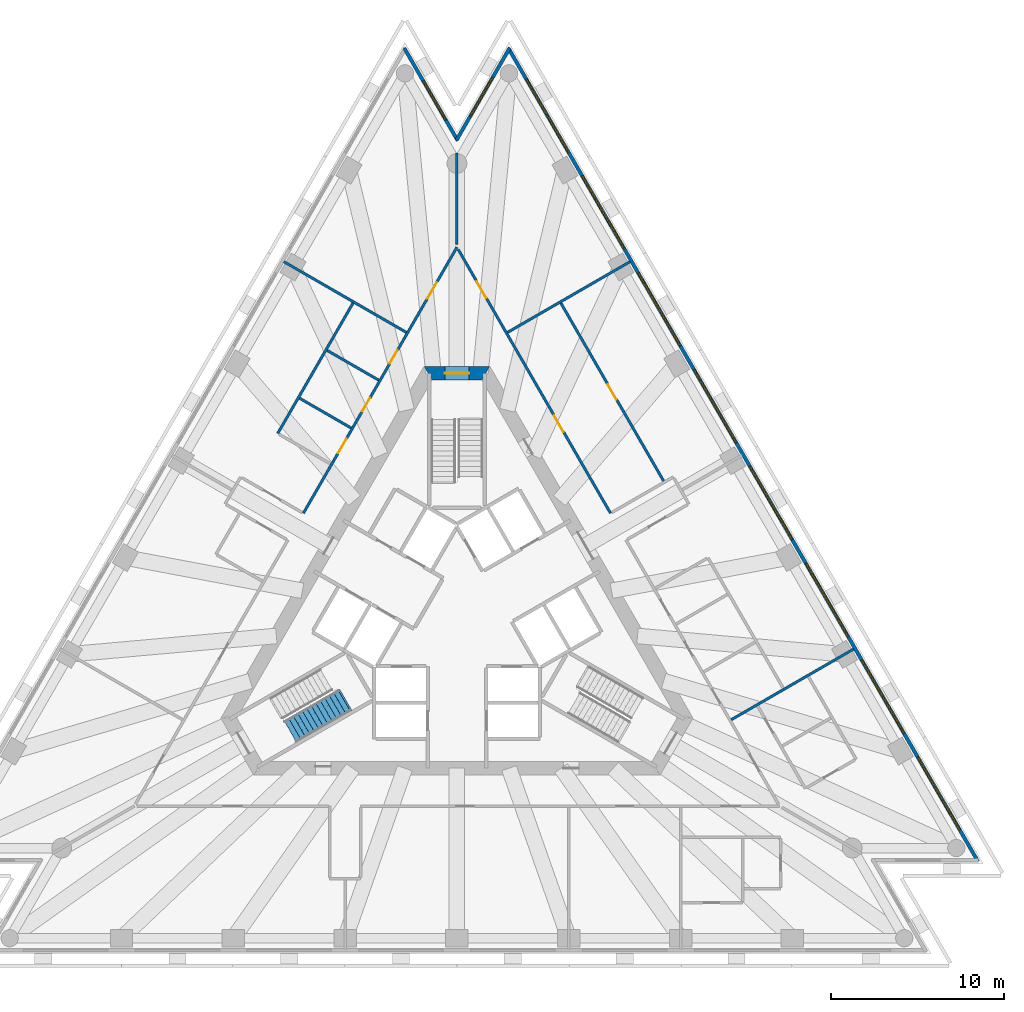
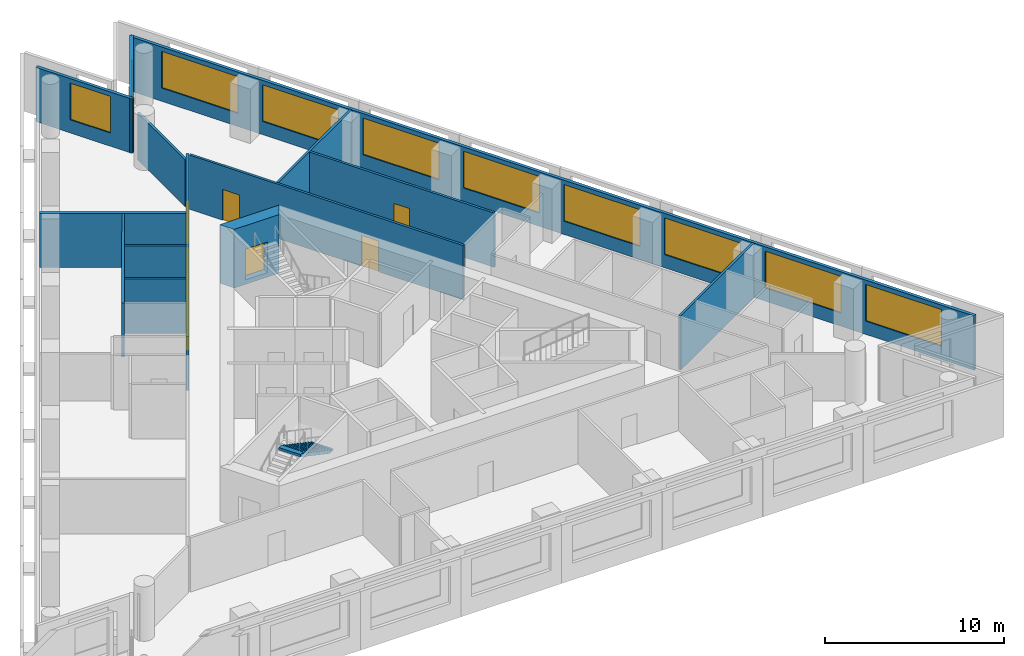
# One storey, part 6 of 9: 14 walls, 10 windows, 8 doors, 1 stair flight, 18 openings, 1 element without a shape of its own.
"""IFC4 building model written with IfcOpenShell, lengths in metres."""

from ifc_helpers import new_model, si_unit, direction, frame, frame_2d, origin, place, context, subcontext, project, spatial, polyline, rectangle, outline, extrude, material, layer, layer_set, layer_usage, type_object, element, fill, aggregate, save


model = new_model("IFC4")

# Units and contexts
model_context = context("Model", 3, precision=1e-05, world=origin(), true_north=direction((0.0, 1.0)))
body_context = subcontext(model_context, "Body", "Model", "MODEL_VIEW")
ifc_project = project(units=[si_unit("LENGTHUNIT", "METRE"), si_unit("AREAUNIT", "SQUARE_METRE"), si_unit("VOLUMEUNIT", "CUBIC_METRE"), si_unit("PLANEANGLEUNIT", "RADIAN"), si_unit("MASSUNIT", "GRAM", prefix="KILO")], contexts=[model_context])

# Site, building, storey
site_placement = place(None, origin())
site = spatial("IfcSite", under=ifc_project, at=site_placement, CompositionType="ELEMENT")
building_placement = place(site_placement, origin())
building = spatial("IfcBuilding", under=site, at=building_placement, Name="Triada Interchange Tower", CompositionType="ELEMENT")
storey_placement = place(building_placement, frame((0.0, 0.0, 164.300048828125)))
storey = spatial("IfcBuildingStorey", under=building, at=storey_placement, Name="L38", CompositionType="ELEMENT", Elevation=164.300048828125)

# Wall, opening, door
ifc_material_1 = material(Name="Concrete C60/75", Category="concrete")
ifc_layer_1 = layer(ifc_material_1, 0.800048828125)
ifc_layer_set_1 = layer_set([ifc_layer_1], Name="Core wall B 800")
wall_type_1 = type_object("IfcWallType", Name="Core wall B 800", PredefinedType="SHEAR", material=ifc_layer_set_1)
wall_1_placement = place(storey_placement, frame((1.674072265625, 14.300048828125, -0.300048828125), z_axis=(0.0, 0.0, 1.0), x_axis=(-1.0, 0.0, 0.0)))
wall_1 = element("IfcWall", 1, at=wall_1_placement, inside=storey, type_object=wall_type_1, Name="Core wall WB01 L38", PredefinedType="SHEAR", context=body_context, shape_type="SweptSolid", body=[
    extrude(outline(polyline([(-0.23095703125, -0.39990234375), (1.674072265625, -0.39990234375), (3.5791015625, -0.39990234375), (3.116943359375, 0.39990234375), (1.673828125, 0.39990234375), (0.23095703125, 0.39990234375), (-0.23095703125, -0.39990234375)])), origin(), (0.0, 0.0, 1.0), 4.0),
])
opening_1_placement = place(wall_1_placement, frame((0.97412109375, 0.0, 0.300048828125)))
opening_1 = element("IfcOpeningElement", 2, at=opening_1_placement, cuts=wall_1, Name="Opening D38-36", PredefinedType="OPENING", context=body_context, shape_type="SweptSolid", body=[
    extrude(rectangle(XDim=1.39990234375, YDim=2.10009765625, at=frame_2d((0.699951171875, 1.050048828125))), frame((0.0, 0.409912109375, 0.0), z_axis=(0.0, -1.0, 0.0), x_axis=(1.0, 0.0, 0.0)), (0.0, 0.0, 1.0), 0.820068359375),
])
ifc_material_2 = material(Name="Steel S235 door leaf", Category="steel")
door_type_1 = type_object("IfcDoorType", Name="STAIR DOOR 1400 EI2 90-C5S200", OperationType="DOUBLE_DOOR_SINGLE_SWING", PredefinedType="DOOR", material=ifc_material_2)
door_1_placement = place(opening_1_placement, origin())
door_1 = element("IfcDoor", 3, at=door_1_placement, inside=storey, type_object=door_type_1, Name="Door D38-36 L38", OperationType="DOUBLE_DOOR_SINGLE_SWING", OverallHeight=2.10009765625, OverallWidth=1.39990234375, PredefinedType="DOOR", context=body_context, shape_type="SweptSolid", body=[
    extrude(rectangle(XDim=1.39990234375, YDim=2.10009765625, at=frame_2d((0.699951171875, 1.050048828125))), frame((0.0, 0.02490234375, 0.0), z_axis=(0.0, -1.0, 0.0), x_axis=(1.0, 0.0, 0.0)), (0.0, 0.0, 1.0), 0.050048828125),
])
fill(opening_1, door_1)

# Wall, openings, windows
ifc_material_3 = material(Name="Cement board")
ifc_layer_2 = layer(ifc_material_3, 0.02001953125, Name="Cement board cladding")
ifc_material_4 = material(Name="Sheathing board")
ifc_layer_3 = layer(ifc_material_4, 0.014892578125, Name="Sheathing board")
ifc_material_5 = material(Name="Mineral wool")
ifc_layer_4 = layer(ifc_material_5, 0.14990234375, Name="Mineral wool between steel studs")
ifc_material_6 = material(Name="Gypsum board")
ifc_layer_5 = layer(ifc_material_6, 0.014892578125, Name="Plasterboard lining")
ifc_layer_set_2 = layer_set([ifc_layer_2, ifc_layer_3, ifc_layer_4, ifc_layer_5], Name="External wall 200")
ifc_layer_usage = layer_usage(ifc_layer_set_2, "AXIS2", "POSITIVE", -0.10009765625)
wall_type_2 = type_object("IfcWallType", Name="External wall 200", PredefinedType="ELEMENTEDWALL", material=ifc_layer_set_2)
wall_2_placement = place(storey_placement, frame((30.2041015625, -14.006103515625, 0.0), z_axis=(0.0, 0.0, 1.0), x_axis=(-0.500008017777, 0.866020774669, 0.0)))
wall_2 = element("IfcWall", 4, at=wall_2_placement, inside=storey, type_object=wall_type_2, material=ifc_layer_usage, Name="External wall L38 NE", PredefinedType="ELEMENTEDWALL", context=body_context, shape_type="SweptSolid", body=[
    extrude(rectangle(XDim=54.443359375, YDim=0.199951171875, at=frame_2d((27.2216796875, 0.0))), origin(), (0.0, 0.0, 1.0), 3.699951171875),
])
opening_2_placement = place(wall_2_placement, frame((2.093994140625, 0.0, 0.89990234375)))
opening_2 = element("IfcOpeningElement", 5, at=opening_2_placement, cuts=wall_2, Name="Opening WB21", PredefinedType="OPENING", context=body_context, shape_type="SweptSolid", body=[
    extrude(rectangle(XDim=4.89990234375, YDim=2.5, at=frame_2d((2.449951171875, 1.25))), frame((0.0, 0.10986328125, 0.0), z_axis=(0.0, -1.0, 0.0), x_axis=(1.0, 0.0, 0.0)), (0.0, 0.0, 1.0), 0.219970703125),
])
opening_3_placement = place(wall_2_placement, frame((8.575927734375, 0.0, 0.89990234375)))
opening_3 = element("IfcOpeningElement", 6, at=opening_3_placement, cuts=wall_2, Name="Opening WB22", PredefinedType="OPENING", context=body_context, shape_type="SweptSolid", body=[
    extrude(rectangle(XDim=4.89990234375, YDim=2.5, at=frame_2d((2.449951171875, 1.25))), frame((0.0, 0.10986328125, 0.0), z_axis=(0.0, -1.0, 0.0), x_axis=(1.0, 0.0, 0.0)), (0.0, 0.0, 1.0), 0.219970703125),
])
opening_4_placement = place(wall_2_placement, frame((15.05810546875, 0.0, 0.89990234375)))
opening_4 = element("IfcOpeningElement", 7, at=opening_4_placement, cuts=wall_2, Name="Opening WB23", PredefinedType="OPENING", context=body_context, shape_type="SweptSolid", body=[
    extrude(rectangle(XDim=4.89990234375, YDim=2.5, at=frame_2d((2.449951171875, 1.25))), frame((0.0, 0.10986328125, 0.0), z_axis=(0.0, -1.0, 0.0), x_axis=(1.0, 0.0, 0.0)), (0.0, 0.0, 1.0), 0.219970703125),
])
opening_5_placement = place(wall_2_placement, frame((21.5400390625, 0.0, 0.89990234375)))
opening_5 = element("IfcOpeningElement", 8, at=opening_5_placement, cuts=wall_2, Name="Opening WB24", PredefinedType="OPENING", context=body_context, shape_type="SweptSolid", body=[
    extrude(rectangle(XDim=4.89990234375, YDim=2.5, at=frame_2d((2.449951171875, 1.25))), frame((0.0, 0.10986328125, 0.0), z_axis=(0.0, -1.0, 0.0), x_axis=(1.0, 0.0, 0.0)), (0.0, 0.0, 1.0), 0.219970703125),
])
opening_6_placement = place(wall_2_placement, frame((28.02294921875, 0.0, 0.89990234375)))
opening_6 = element("IfcOpeningElement", 9, at=opening_6_placement, cuts=wall_2, Name="Opening WB25", PredefinedType="OPENING", context=body_context, shape_type="SweptSolid", body=[
    extrude(rectangle(XDim=4.89990234375, YDim=2.5, at=frame_2d((2.449951171875, 1.25))), frame((0.0, 0.10986328125, 0.0), z_axis=(0.0, -1.0, 0.0), x_axis=(1.0, 0.0, 0.0)), (0.0, 0.0, 1.0), 0.219970703125),
])
opening_7_placement = place(wall_2_placement, frame((34.5048828125, 0.0, 0.89990234375)))
opening_7 = element("IfcOpeningElement", 10, at=opening_7_placement, cuts=wall_2, Name="Opening WB26", PredefinedType="OPENING", context=body_context, shape_type="SweptSolid", body=[
    extrude(rectangle(XDim=4.89990234375, YDim=2.5, at=frame_2d((2.449951171875, 1.25))), frame((0.0, 0.10986328125, 0.0), z_axis=(0.0, -1.0, 0.0), x_axis=(1.0, 0.0, 0.0)), (0.0, 0.0, 1.0), 0.219970703125),
])
opening_8_placement = place(wall_2_placement, frame((40.987060546875, 0.0, 0.89990234375)))
opening_8 = element("IfcOpeningElement", 11, at=opening_8_placement, cuts=wall_2, Name="Opening WB27", PredefinedType="OPENING", context=body_context, shape_type="SweptSolid", body=[
    extrude(rectangle(XDim=4.89990234375, YDim=2.5, at=frame_2d((2.449951171875, 1.25))), frame((0.0, 0.10986328125, 0.0), z_axis=(0.0, -1.0, 0.0), x_axis=(1.0, 0.0, 0.0)), (0.0, 0.0, 1.0), 0.219970703125),
])
opening_9_placement = place(wall_2_placement, frame((47.468994140625, 0.0, 0.89990234375)))
opening_9 = element("IfcOpeningElement", 12, at=opening_9_placement, cuts=wall_2, Name="Opening WB28", PredefinedType="OPENING", context=body_context, shape_type="SweptSolid", body=[
    extrude(rectangle(XDim=4.89990234375, YDim=2.5, at=frame_2d((2.449951171875, 1.25))), frame((0.0, 0.10986328125, 0.0), z_axis=(0.0, -1.0, 0.0), x_axis=(1.0, 0.0, 0.0)), (0.0, 0.0, 1.0), 0.219970703125),
])
ifc_material_7 = material(Name="Double glazed aluminium window", Category="aluminium")
window_type_1 = type_object("IfcWindowType", Name="Ribbon window B face", PartitioningType="SINGLE_PANEL", PredefinedType="WINDOW", material=ifc_material_7)
window_1_placement = place(opening_2_placement, origin())
window_1 = element("IfcWindow", 13, at=window_1_placement, inside=storey, type_object=window_type_1, Name="Window L38 NE 1", OverallHeight=2.5, OverallWidth=4.89990234375, PartitioningType="SINGLE_PANEL", PredefinedType="WINDOW", context=body_context, shape_type="SweptSolid", body=[
    extrude(rectangle(XDim=4.89990234375, YDim=2.5, at=frame_2d((2.449951171875, 1.25))), frame((0.0, 0.030029296875, 0.0), z_axis=(0.0, -1.0, 0.0), x_axis=(1.0, 0.0, 0.0)), (0.0, 0.0, 1.0), 0.06005859375),
])
fill(opening_2, window_1)
window_2_placement = place(opening_3_placement, origin())
window_2 = element("IfcWindow", 14, at=window_2_placement, inside=storey, type_object=window_type_1, Name="Window L38 NE 2", OverallHeight=2.5, OverallWidth=4.89990234375, PartitioningType="SINGLE_PANEL", PredefinedType="WINDOW", context=body_context, shape_type="SweptSolid", body=[
    extrude(rectangle(XDim=4.89990234375, YDim=2.5, at=frame_2d((2.449951171875, 1.25))), frame((0.0, 0.030029296875, 0.0), z_axis=(0.0, -1.0, 0.0), x_axis=(1.0, 0.0, 0.0)), (0.0, 0.0, 1.0), 0.06005859375),
])
fill(opening_3, window_2)
window_3_placement = place(opening_4_placement, origin())
window_3 = element("IfcWindow", 15, at=window_3_placement, inside=storey, type_object=window_type_1, Name="Window L38 NE 3", OverallHeight=2.5, OverallWidth=4.89990234375, PartitioningType="SINGLE_PANEL", PredefinedType="WINDOW", context=body_context, shape_type="SweptSolid", body=[
    extrude(rectangle(XDim=4.89990234375, YDim=2.5, at=frame_2d((2.449951171875, 1.25))), frame((0.0, 0.030029296875, 0.0), z_axis=(0.0, -1.0, 0.0), x_axis=(1.0, 0.0, 0.0)), (0.0, 0.0, 1.0), 0.06005859375),
])
fill(opening_4, window_3)
window_4_placement = place(opening_5_placement, origin())
window_4 = element("IfcWindow", 16, at=window_4_placement, inside=storey, type_object=window_type_1, Name="Window L38 NE 4", OverallHeight=2.5, OverallWidth=4.89990234375, PartitioningType="SINGLE_PANEL", PredefinedType="WINDOW", context=body_context, shape_type="SweptSolid", body=[
    extrude(rectangle(XDim=4.89990234375, YDim=2.5, at=frame_2d((2.449951171875, 1.25))), frame((0.0, 0.030029296875, 0.0), z_axis=(0.0, -1.0, 0.0), x_axis=(1.0, 0.0, 0.0)), (0.0, 0.0, 1.0), 0.06005859375),
])
fill(opening_5, window_4)
window_5_placement = place(opening_6_placement, origin())
window_5 = element("IfcWindow", 17, at=window_5_placement, inside=storey, type_object=window_type_1, Name="Window L38 NE 5", OverallHeight=2.5, OverallWidth=4.89990234375, PartitioningType="SINGLE_PANEL", PredefinedType="WINDOW", context=body_context, shape_type="SweptSolid", body=[
    extrude(rectangle(XDim=4.89990234375, YDim=2.5, at=frame_2d((2.449951171875, 1.25))), frame((0.0, 0.030029296875, 0.0), z_axis=(0.0, -1.0, 0.0), x_axis=(1.0, 0.0, 0.0)), (0.0, 0.0, 1.0), 0.06005859375),
])
fill(opening_6, window_5)
window_6_placement = place(opening_7_placement, origin())
window_6 = element("IfcWindow", 18, at=window_6_placement, inside=storey, type_object=window_type_1, Name="Window L38 NE 6", OverallHeight=2.5, OverallWidth=4.89990234375, PartitioningType="SINGLE_PANEL", PredefinedType="WINDOW", context=body_context, shape_type="SweptSolid", body=[
    extrude(rectangle(XDim=4.89990234375, YDim=2.5, at=frame_2d((2.449951171875, 1.25))), frame((0.0, 0.030029296875, 0.0), z_axis=(0.0, -1.0, 0.0), x_axis=(1.0, 0.0, 0.0)), (0.0, 0.0, 1.0), 0.06005859375),
])
fill(opening_7, window_6)
window_7_placement = place(opening_8_placement, origin())
window_7 = element("IfcWindow", 19, at=window_7_placement, inside=storey, type_object=window_type_1, Name="Window L38 NE 7", OverallHeight=2.5, OverallWidth=4.89990234375, PartitioningType="SINGLE_PANEL", PredefinedType="WINDOW", context=body_context, shape_type="SweptSolid", body=[
    extrude(rectangle(XDim=4.89990234375, YDim=2.5, at=frame_2d((2.449951171875, 1.25))), frame((0.0, 0.030029296875, 0.0), z_axis=(0.0, -1.0, 0.0), x_axis=(1.0, 0.0, 0.0)), (0.0, 0.0, 1.0), 0.06005859375),
])
fill(opening_8, window_7)
window_8_placement = place(opening_9_placement, origin())
window_8 = element("IfcWindow", 20, at=window_8_placement, inside=storey, type_object=window_type_1, Name="Window L38 NE 8", OverallHeight=2.5, OverallWidth=4.89990234375, PartitioningType="SINGLE_PANEL", PredefinedType="WINDOW", context=body_context, shape_type="SweptSolid", body=[
    extrude(rectangle(XDim=4.89990234375, YDim=2.5, at=frame_2d((2.449951171875, 1.25))), frame((0.0, 0.030029296875, 0.0), z_axis=(0.0, -1.0, 0.0), x_axis=(1.0, 0.0, 0.0)), (0.0, 0.0, 1.0), 0.06005859375),
])
fill(opening_9, window_8)

# Wall, opening, window
wall_3_placement = place(storey_placement, frame((3.06201171875, 33.159912109375, 0.0), z_axis=(0.0, 0.0, 1.0), x_axis=(-0.50000110078, -0.866024768248, 0.0)))
wall_3 = element("IfcWall", 21, at=wall_3_placement, inside=storey, type_object=wall_type_2, material=ifc_layer_usage, Name="External wall L38 N-1", PredefinedType="ELEMENTEDWALL", context=body_context, shape_type="SweptSolid", body=[
    extrude(rectangle(XDim=6.19384765625, YDim=0.199951171875, at=frame_2d((3.096923828125, 0.0))), origin(), (0.0, 0.0, 1.0), 3.699951171875),
])
opening_10_placement = place(wall_3_placement, frame((1.989990234375, 0.0, 0.89990234375)))
opening_10 = element("IfcOpeningElement", 22, at=opening_10_placement, cuts=wall_3, Name="Opening WB29", PredefinedType="OPENING", context=body_context, shape_type="SweptSolid", body=[
    extrude(rectangle(XDim=2.60009765625, YDim=2.5, at=frame_2d((1.300048828125, 1.25))), frame((0.0, 0.10986328125, 0.0), z_axis=(0.0, -1.0, 0.0), x_axis=(1.0, 0.0, 0.0)), (0.0, 0.0, 1.0), 0.219970703125),
])
window_type_2 = type_object("IfcWindowType", Name="Ribbon window B pocket", PartitioningType="SINGLE_PANEL", PredefinedType="WINDOW", material=ifc_material_7)
window_9_placement = place(opening_10_placement, origin())
window_9 = element("IfcWindow", 23, at=window_9_placement, inside=storey, type_object=window_type_2, Name="Window L38 N-1 1", OverallHeight=2.5, OverallWidth=2.60009765625, PartitioningType="SINGLE_PANEL", PredefinedType="WINDOW", context=body_context, shape_type="SweptSolid", body=[
    extrude(rectangle(XDim=2.60009765625, YDim=2.5, at=frame_2d((1.300048828125, 1.25))), frame((0.0, 0.030029296875, 0.0), z_axis=(0.0, -1.0, 0.0), x_axis=(1.0, 0.0, 0.0)), (0.0, 0.0, 1.0), 0.06005859375),
])
fill(opening_10, window_9)

wall_4_placement = place(storey_placement, frame((0.044921875, 27.779052734375, 0.0), z_axis=(0.0, 0.0, 1.0), x_axis=(-0.50000110078, 0.866024768248, 0.0)))
wall_4 = element("IfcWall", 24, at=wall_4_placement, inside=storey, type_object=wall_type_2, material=ifc_layer_usage, Name="External wall L38 N-2", PredefinedType="ELEMENTEDWALL", context=body_context, shape_type="SweptSolid", body=[
    extrude(rectangle(XDim=6.19384765625, YDim=0.199951171875, at=frame_2d((3.096923828125, 0.0))), origin(), (0.0, 0.0, 1.0), 3.699951171875),
])
opening_11_placement = place(wall_4_placement, frame((1.389892578125, 0.0, 0.89990234375)))
opening_11 = element("IfcOpeningElement", 25, at=opening_11_placement, cuts=wall_4, Name="Opening WB30", PredefinedType="OPENING", context=body_context, shape_type="SweptSolid", body=[
    extrude(rectangle(XDim=2.60009765625, YDim=2.5, at=frame_2d((1.300048828125, 1.25))), frame((0.0, 0.10986328125, 0.0), z_axis=(0.0, -1.0, 0.0), x_axis=(1.0, 0.0, 0.0)), (0.0, 0.0, 1.0), 0.219970703125),
])
window_10_placement = place(opening_11_placement, origin())
window_10 = element("IfcWindow", 26, at=window_10_placement, inside=storey, type_object=window_type_2, Name="Window L38 N-2 1", OverallHeight=2.5, OverallWidth=2.60009765625, PartitioningType="SINGLE_PANEL", PredefinedType="WINDOW", context=body_context, shape_type="SweptSolid", body=[
    extrude(rectangle(XDim=2.60009765625, YDim=2.5, at=frame_2d((1.300048828125, 1.25))), frame((0.0, 0.030029296875, 0.0), z_axis=(0.0, -1.0, 0.0), x_axis=(1.0, 0.0, 0.0)), (0.0, 0.0, 1.0), 0.06005859375),
])
fill(opening_11, window_10)

# Wall, openings, doors
ifc_material_8 = material(Name="Gypsum board partition")
ifc_layer_6 = layer(ifc_material_8, 0.14990234375)
ifc_layer_set_3 = layer_set([ifc_layer_6], Name="PARTITION 150 EI 180")
wall_type_3 = type_object("IfcWallType", Name="PARTITION 150 EI 180", PredefinedType="PARTITIONING", material=ifc_layer_set_3)
wall_5_placement = place(storey_placement, frame((-8.903076171875, 6.179931640625, 0.0), z_axis=(0.0, 0.0, 1.0), x_axis=(0.500010074151, 0.866019587393, 0.0)))
wall_5 = element("IfcWall", 27, at=wall_5_placement, inside=storey, type_object=wall_type_3, Name="Wall L38 9", PredefinedType="PARTITIONING", context=body_context, shape_type="SweptSolid", body=[
    extrude(rectangle(XDim=17.805908203125, YDim=0.14990234375, at=frame_2d((8.90283203125, 0.0))), origin(), (0.0, 0.0, 1.0), 3.699951171875),
])
opening_12_placement = place(wall_5_placement, frame((14.35595703125, 0.0, 0.0)))
opening_12 = element("IfcOpeningElement", 28, at=opening_12_placement, cuts=wall_5, Name="Opening D38-27", PredefinedType="OPENING", context=body_context, shape_type="SweptSolid", body=[
    extrude(rectangle(XDim=1.10009765625, YDim=2.10009765625, at=frame_2d((0.550048828125, 1.050048828125))), frame((0.0, 0.0849609375, 0.0), z_axis=(0.0, -1.0, 0.0), x_axis=(1.0, 0.0, 0.0)), (0.0, 0.0, 1.0), 0.169921875),
])
opening_13_placement = place(wall_5_placement, frame((10.013916015625, 0.0, 0.0)))
opening_13 = element("IfcOpeningElement", 29, at=opening_13_placement, cuts=wall_5, Name="Opening D38-29", PredefinedType="OPENING", context=body_context, shape_type="SweptSolid", body=[
    extrude(rectangle(XDim=0.89990234375, YDim=2.10009765625, at=frame_2d((0.449951171875, 1.050048828125))), frame((0.0, 0.0849609375, 0.0), z_axis=(0.0, -1.0, 0.0), x_axis=(1.0, 0.0, 0.0)), (0.0, 0.0, 1.0), 0.169921875),
])
opening_14_placement = place(wall_5_placement, frame((6.81396484375, 0.0, 0.0)))
opening_14 = element("IfcOpeningElement", 30, at=opening_14_placement, cuts=wall_5, Name="Opening D38-30", PredefinedType="OPENING", context=body_context, shape_type="SweptSolid", body=[
    extrude(rectangle(XDim=0.89990234375, YDim=2.10009765625, at=frame_2d((0.449951171875, 1.050048828125))), frame((0.0, 0.0849609375, 0.0), z_axis=(0.0, -1.0, 0.0), x_axis=(1.0, 0.0, 0.0)), (0.0, 0.0, 1.0), 0.169921875),
])
opening_15_placement = place(wall_5_placement, frame((4.013916015625, 0.0, 0.0)))
opening_15 = element("IfcOpeningElement", 31, at=opening_15_placement, cuts=wall_5, Name="Opening D38-31", PredefinedType="OPENING", context=body_context, shape_type="SweptSolid", body=[
    extrude(rectangle(XDim=1.0, YDim=2.10009765625, at=frame_2d((0.5, 1.050048828125))), frame((0.0, 0.0849609375, 0.0), z_axis=(0.0, -1.0, 0.0), x_axis=(1.0, 0.0, 0.0)), (0.0, 0.0, 1.0), 0.169921875),
])
door_type_2 = type_object("IfcDoorType", Name="ROOM DOOR 1000 EI2 90-C5S200", OperationType="NOTDEFINED", PredefinedType="DOOR", material=ifc_material_2)
door_2_placement = place(opening_15_placement, origin())
door_2 = element("IfcDoor", 32, at=door_2_placement, inside=storey, type_object=door_type_2, Name="Door D38-31 L38", OperationType="SINGLE_SWING_LEFT", OverallHeight=2.10009765625, OverallWidth=1.0, PredefinedType="DOOR", context=body_context, shape_type="SweptSolid", body=[
    extrude(rectangle(XDim=1.0, YDim=2.10009765625, at=frame_2d((0.5, 1.050048828125))), frame((0.0, 0.02490234375, 0.0), z_axis=(0.0, -1.0, 0.0), x_axis=(1.0, 0.0, 0.0)), (0.0, 0.0, 1.0), 0.050048828125),
])
fill(opening_15, door_2)
door_type_3 = type_object("IfcDoorType", Name="ROOM DOOR 900 EI2 90-C5S200", OperationType="NOTDEFINED", PredefinedType="DOOR", material=ifc_material_2)
door_3_placement = place(opening_13_placement, origin())
door_3 = element("IfcDoor", 33, at=door_3_placement, inside=storey, type_object=door_type_3, Name="Door D38-29 L38", OperationType="SINGLE_SWING_RIGHT", OverallHeight=2.10009765625, OverallWidth=0.89990234375, PredefinedType="DOOR", context=body_context, shape_type="SweptSolid", body=[
    extrude(rectangle(XDim=0.89990234375, YDim=2.10009765625, at=frame_2d((0.449951171875, 1.050048828125))), frame((0.0, 0.02490234375, 0.0), z_axis=(0.0, -1.0, 0.0), x_axis=(1.0, 0.0, 0.0)), (0.0, 0.0, 1.0), 0.050048828125),
])
fill(opening_13, door_3)
door_4_placement = place(opening_14_placement, origin())
door_4 = element("IfcDoor", 34, at=door_4_placement, inside=storey, type_object=door_type_3, Name="Door D38-30 L38", OperationType="SINGLE_SWING_RIGHT", OverallHeight=2.10009765625, OverallWidth=0.89990234375, PredefinedType="DOOR", context=body_context, shape_type="SweptSolid", body=[
    extrude(rectangle(XDim=0.89990234375, YDim=2.10009765625, at=frame_2d((0.449951171875, 1.050048828125))), frame((0.0, 0.02490234375, 0.0), z_axis=(0.0, -1.0, 0.0), x_axis=(1.0, 0.0, 0.0)), (0.0, 0.0, 1.0), 0.050048828125),
])
fill(opening_14, door_4)
door_type_4 = type_object("IfcDoorType", Name="TENANCY ENTRANCE DOOR 1100 EI2 90-C5S200", OperationType="NOTDEFINED", PredefinedType="DOOR", material=ifc_material_2)
door_5_placement = place(opening_12_placement, origin())
door_5 = element("IfcDoor", 35, at=door_5_placement, inside=storey, type_object=door_type_4, Name="Door D38-27 L38", OperationType="SINGLE_SWING_RIGHT", OverallHeight=2.10009765625, OverallWidth=1.10009765625, PredefinedType="DOOR", context=body_context, shape_type="SweptSolid", body=[
    extrude(rectangle(XDim=1.10009765625, YDim=2.10009765625, at=frame_2d((0.550048828125, 1.050048828125))), frame((0.0, 0.02490234375, 0.0), z_axis=(0.0, -1.0, 0.0), x_axis=(1.0, 0.0, 0.0)), (0.0, 0.0, 1.0), 0.050048828125),
])
fill(opening_12, door_5)

# Walls
wall_6_placement = place(storey_placement, frame((-10.035888671875, 20.763916015625, 0.0), z_axis=(0.0, 0.0, 1.0), x_axis=(0.866037308103, -0.499979380549, 0.0)))
element("IfcWall", 36, at=wall_6_placement, inside=storey, type_object=wall_type_3, Name="Wall L38 17", PredefinedType="PARTITIONING", context=body_context, shape_type="SweptSolid", body=[
    extrude(rectangle(XDim=8.197998046875, YDim=0.14990234375, at=frame_2d((4.09912109375, 0.0))), origin(), (0.0, 0.0, 1.0), 3.699951171875),
])
wall_7_placement = place(storey_placement, frame((-10.388916015625, 10.805908203125, 0.0), z_axis=(0.0, 0.0, 1.0), x_axis=(0.500042162787, 0.86600105972, 0.0)))
element("IfcWall", 37, at=wall_7_placement, inside=storey, type_object=wall_type_3, Name="Wall L38 18", PredefinedType="PARTITIONING", context=body_context, shape_type="SweptSolid", body=[
    extrude(rectangle(XDim=8.725341796875, YDim=0.14990234375, at=frame_2d((4.36279296875, 0.0))), origin(), (0.0, 0.0, 1.0), 3.699951171875),
])
for number, where, z_axis, x_axis, name in (
    (38, (-9.1240234375, 12.846923828125, 0.0), (0.0, 0.0, 1.0), (0.866061862632, -0.499936846106, 0.0), "Wall L38 20"),
    (39, (-7.52392578125, 15.618896484375, 0.0), (0.0, 0.0, 1.0), (0.866061862632, -0.499936846106, 0.0), "Wall L38 21"),
):
    element("IfcWall", number, at=place(storey_placement, frame(where, z_axis=z_axis, x_axis=x_axis)), inside=storey, type_object=wall_type_3, Name=name, PredefinedType="PARTITIONING", context=body_context, shape_type="SweptSolid", body=[
        extrude(rectangle(XDim=3.4501953125, YDim=0.14990234375, at=frame_2d((1.72509765625, 0.0))), origin(), (0.0, 0.0, 1.0), 3.699951171875),
    ])
wall_8_placement = place(storey_placement, frame((0.0, 21.75, 0.0), z_axis=(0.0, 0.0, 1.0), x_axis=(0.0, 1.0, 0.0)))
element("IfcWall", 40, at=wall_8_placement, inside=storey, type_object=wall_type_3, Name="Wall L38 24", PredefinedType="PARTITIONING", context=body_context, shape_type="SweptSolid", body=[
    extrude(rectangle(XDim=5.326904296875, YDim=0.14990234375, at=frame_2d((2.66357421875, 0.0))), origin(), (0.0, 0.0, 1.0), 3.199951171875),
])

# Wall, openings, doors
wall_9_placement = place(storey_placement, frame((0.075927734375, 21.468017578125, 0.0), z_axis=(0.0, 0.0, 1.0), x_axis=(0.500024127084, -0.866011473558, 0.0)))
wall_9 = element("IfcWall", 41, at=wall_9_placement, inside=storey, type_object=wall_type_3, Name="Wall L38 25", PredefinedType="PARTITIONING", context=body_context, shape_type="SweptSolid", body=[
    extrude(rectangle(XDim=17.653564453125, YDim=0.14990234375, at=frame_2d((8.82666015625, 0.0))), origin(), (0.0, 0.0, 1.0), 3.699951171875),
])
opening_16_placement = place(wall_9_placement, frame((11.10400390625, 0.0, 0.0)))
opening_16 = element("IfcOpeningElement", 42, at=opening_16_placement, cuts=wall_9, Name="Opening D38-24", PredefinedType="OPENING", context=body_context, shape_type="SweptSolid", body=[
    extrude(rectangle(XDim=1.10009765625, YDim=2.10009765625, at=frame_2d((0.550048828125, 1.050048828125))), frame((0.0, 0.0849609375, 0.0), z_axis=(0.0, -1.0, 0.0), x_axis=(1.0, 0.0, 0.0)), (0.0, 0.0, 1.0), 0.169921875),
])
opening_17_placement = place(wall_9_placement, frame((2.139892578125, 0.0, 0.0)))
opening_17 = element("IfcOpeningElement", 43, at=opening_17_placement, cuts=wall_9, Name="Opening D38-26", PredefinedType="OPENING", context=body_context, shape_type="SweptSolid", body=[
    extrude(rectangle(XDim=1.10009765625, YDim=2.10009765625, at=frame_2d((0.550048828125, 1.050048828125))), frame((0.0, 0.0849609375, 0.0), z_axis=(0.0, -1.0, 0.0), x_axis=(1.0, 0.0, 0.0)), (0.0, 0.0, 1.0), 0.169921875),
])
door_6_placement = place(opening_16_placement, origin())
door_6 = element("IfcDoor", 44, at=door_6_placement, inside=storey, type_object=door_type_4, Name="Door D38-24 L38", OperationType="SINGLE_SWING_LEFT", OverallHeight=2.10009765625, OverallWidth=1.10009765625, PredefinedType="DOOR", context=body_context, shape_type="SweptSolid", body=[
    extrude(rectangle(XDim=1.10009765625, YDim=2.10009765625, at=frame_2d((0.550048828125, 1.050048828125))), frame((0.0, 0.02490234375, 0.0), z_axis=(0.0, -1.0, 0.0), x_axis=(1.0, 0.0, 0.0)), (0.0, 0.0, 1.0), 0.050048828125),
])
fill(opening_16, door_6)
door_7_placement = place(opening_17_placement, origin())
door_7 = element("IfcDoor", 45, at=door_7_placement, inside=storey, type_object=door_type_4, Name="Door D38-26 L38", OperationType="SINGLE_SWING_LEFT", OverallHeight=2.10009765625, OverallWidth=1.10009765625, PredefinedType="DOOR", context=body_context, shape_type="SweptSolid", body=[
    extrude(rectangle(XDim=1.10009765625, YDim=2.10009765625, at=frame_2d((0.550048828125, 1.050048828125))), frame((0.0, 0.02490234375, 0.0), z_axis=(0.0, -1.0, 0.0), x_axis=(1.0, 0.0, 0.0)), (0.0, 0.0, 1.0), 0.050048828125),
])
fill(opening_17, door_7)

# Walls
wall_10_placement = place(storey_placement, frame((2.93603515625, 16.6650390625, 0.0), z_axis=(0.0, 0.0, 1.0), x_axis=(0.866037308103, 0.499979380549, 0.0)))
element("IfcWall", 46, at=wall_10_placement, inside=storey, type_object=wall_type_3, Name="Wall L38 27", PredefinedType="PARTITIONING", context=body_context, shape_type="SweptSolid", body=[
    extrude(rectangle(XDim=8.197998046875, YDim=0.14990234375, at=frame_2d((4.09912109375, 0.0))), origin(), (0.0, 0.0, 1.0), 3.699951171875),
])
wall_11_placement = place(storey_placement, frame((15.89990234375, -5.7900390625, 0.0), z_axis=(0.0, 0.0, 1.0), x_axis=(0.866061630889, 0.499937247563, 0.0)))
element("IfcWall", 47, at=wall_11_placement, inside=storey, type_object=wall_type_3, Name="Wall L38 37", PredefinedType="PARTITIONING", context=body_context, shape_type="SweptSolid", body=[
    extrude(rectangle(XDim=8.19921875, YDim=0.14990234375, at=frame_2d((4.099609375, 0.0))), origin(), (0.0, 0.0, 1.0), 3.699951171875),
])

# Wall, opening, door
ifc_layer_7 = layer(ifc_material_8, 0.14990234375)
ifc_layer_set_4 = layer_set([ifc_layer_7], Name="PARTITION 150 EI 90")
wall_type_4 = type_object("IfcWallType", Name="PARTITION 150 EI 90", PredefinedType="PARTITIONING", material=ifc_layer_set_4)
wall_12_placement = place(storey_placement, frame((6.02587890625, 18.362060546875, 0.0), z_axis=(0.0, 0.0, 1.0), x_axis=(0.499991479218, -0.866030323204, 0.0)))
wall_12 = element("IfcWall", 48, at=wall_12_placement, inside=storey, type_object=wall_type_4, Name="Wall L38 38", PredefinedType="PARTITIONING", context=body_context, shape_type="SweptSolid", body=[
    extrude(rectangle(XDim=11.914306640625, YDim=0.14990234375, at=frame_2d((5.95703125, 0.0))), origin(), (0.0, 0.0, 1.0), 3.699951171875),
])
opening_18_placement = place(wall_12_placement, frame((5.43896484375, 0.0, 0.0)))
opening_18 = element("IfcOpeningElement", 49, at=opening_18_placement, cuts=wall_12, Name="Opening D38-25", PredefinedType="OPENING", context=body_context, shape_type="SweptSolid", body=[
    extrude(rectangle(XDim=1.0, YDim=2.10009765625, at=frame_2d((0.5, 1.050048828125))), frame((0.0, 0.0849609375, 0.0), z_axis=(0.0, -1.0, 0.0), x_axis=(1.0, 0.0, 0.0)), (0.0, 0.0, 1.0), 0.169921875),
])
door_type_5 = type_object("IfcDoorType", Name="ROOM DOOR 1000 EI2 45-C5S200", OperationType="NOTDEFINED", PredefinedType="DOOR", material=ifc_material_2)
door_8_placement = place(opening_18_placement, origin())
door_8 = element("IfcDoor", 50, at=door_8_placement, inside=storey, type_object=door_type_5, Name="Door D38-25 L38", OperationType="SINGLE_SWING_RIGHT", OverallHeight=2.10009765625, OverallWidth=1.0, PredefinedType="DOOR", context=body_context, shape_type="SweptSolid", body=[
    extrude(rectangle(XDim=1.0, YDim=2.10009765625, at=frame_2d((0.5, 1.050048828125))), frame((0.0, 0.02490234375, 0.0), z_axis=(0.0, -1.0, 0.0), x_axis=(1.0, 0.0, 0.0)), (0.0, 0.0, 1.0), 0.050048828125),
])
fill(opening_18, door_8)

# Stair, stair flight
ifc_material_9 = material(Name="Concrete C35/45", Category="concrete")
stair_type = type_object("IfcStairType", Name="HALF TURN STAIR 1400", PredefinedType="HALF_TURN_STAIR", material=ifc_material_9)
stair_placement = place(storey_placement, origin())
stair = element("IfcStair", 51, at=stair_placement, inside=storey, type_object=stair_type, Name="Exit stair S38-2", PredefinedType="HALF_TURN_STAIR")
stair_flight_type = type_object("IfcStairFlightType", Name="STRAIGHT STAIR FLIGHT 1400", PredefinedType="STRAIGHT", material=ifc_material_9)
stair_flight_placement = place(storey_placement, frame((-6.528076171875, -4.693115234375, 1.919921875), z_axis=(0.0, 0.0, 1.0), x_axis=(-0.866025403784, -0.5, 0.0)))
stair_flight = element("IfcStairFlight", 52, at=stair_flight_placement, type_object=stair_flight_type, Name="S38-2 flight 2", NumberOfRisers=13, NumberOfTreads=12, PredefinedType="STRAIGHT", RiserHeight=0.16, TreadLength=0.3, context=body_context, shape_type="SweptSolid", body=[
    extrude(outline(polyline([(-0.10009765625, 0.0), (-0.10009765625, 0.02001953125), (0.0, 0.02001953125), (0.0, 0.159912109375), (0.300048828125, 0.159912109375), (0.300048828125, 0.320068359375), (0.60009765625, 0.320068359375), (0.60009765625, 0.47998046875), (0.89990234375, 0.47998046875), (0.89990234375, 0.639892578125), (1.199951171875, 0.639892578125), (1.199951171875, 0.800048828125), (1.5, 0.800048828125), (1.5, 0.9599609375), (1.800048828125, 0.9599609375), (1.800048828125, 1.1201171875), (2.10009765625, 1.1201171875), (2.10009765625, 1.280029296875), (2.39990234375, 1.280029296875), (2.39990234375, 1.43994140625), (2.699951171875, 1.43994140625), (2.699951171875, 1.60009765625), (3.0, 1.60009765625), (3.0, 1.760009765625), (3.300048828125, 1.760009765625), (3.300048828125, 1.919921875), (3.60009765625, 1.919921875), (3.60400390625, 1.919921875), (3.60400390625, 2.080078125), (3.60400390625, 1.75), (0.318603515625, 0.0), (-0.10009765625, 0.0)])), frame((0.0, 0.699951171875, 0.0), z_axis=(0.0, -1.0, 0.0), x_axis=(1.0, 0.0, 0.0)), (0.0, 0.0, 1.0), 0.46533203125),
    extrude(outline(polyline([(-0.10009765625, 0.0), (-0.10009765625, 0.02001953125), (0.0, 0.02001953125), (0.0, 0.159912109375), (0.300048828125, 0.159912109375), (0.300048828125, 0.320068359375), (0.60009765625, 0.320068359375), (0.60009765625, 0.47998046875), (0.89990234375, 0.47998046875), (0.89990234375, 0.639892578125), (1.199951171875, 0.639892578125), (1.199951171875, 0.800048828125), (1.5, 0.800048828125), (1.5, 0.9599609375), (1.800048828125, 0.9599609375), (1.800048828125, 1.1201171875), (2.10009765625, 1.1201171875), (2.10009765625, 1.280029296875), (2.39990234375, 1.280029296875), (2.39990234375, 1.43994140625), (2.699951171875, 1.43994140625), (2.699951171875, 1.60009765625), (3.0, 1.60009765625), (3.0, 1.760009765625), (3.300048828125, 1.760009765625), (3.300048828125, 1.919921875), (3.60009765625, 1.919921875), (3.60400390625, 1.919921875), (3.60400390625, 2.080078125), (3.60400390625, 1.75), (0.318603515625, 0.0), (-0.10009765625, 0.0)])), frame((0.0, 0.232666015625, 0.0), z_axis=(0.0, -1.0, 0.0), x_axis=(1.0, 0.0, 0.0)), (0.0, 0.0, 1.0), 0.46533203125),
    extrude(outline(polyline([(-0.10009765625, 0.0), (-0.10009765625, 0.02001953125), (0.0, 0.02001953125), (0.0, 0.159912109375), (0.300048828125, 0.159912109375), (0.300048828125, 0.320068359375), (0.60009765625, 0.320068359375), (0.60009765625, 0.47998046875), (0.89990234375, 0.47998046875), (0.89990234375, 0.639892578125), (1.199951171875, 0.639892578125), (1.199951171875, 0.800048828125), (1.5, 0.800048828125), (1.5, 0.9599609375), (1.800048828125, 0.9599609375), (1.800048828125, 1.1201171875), (2.10009765625, 1.1201171875), (2.10009765625, 1.280029296875), (2.39990234375, 1.280029296875), (2.39990234375, 1.43994140625), (2.699951171875, 1.43994140625), (2.699951171875, 1.60009765625), (3.0, 1.60009765625), (3.0, 1.760009765625), (3.300048828125, 1.760009765625), (3.300048828125, 1.919921875), (3.60009765625, 1.919921875), (3.60400390625, 1.919921875), (3.60400390625, 2.080078125), (3.60400390625, 1.75), (0.318603515625, 0.0), (-0.10009765625, 0.0)])), frame((0.0, -0.234619140625, 0.0), z_axis=(0.0, -1.0, 0.0), x_axis=(1.0, 0.0, 0.0)), (0.0, 0.0, 1.0), 0.46533203125),
])
aggregate(stair, [stair_flight])

save(model, "model.ifc")
